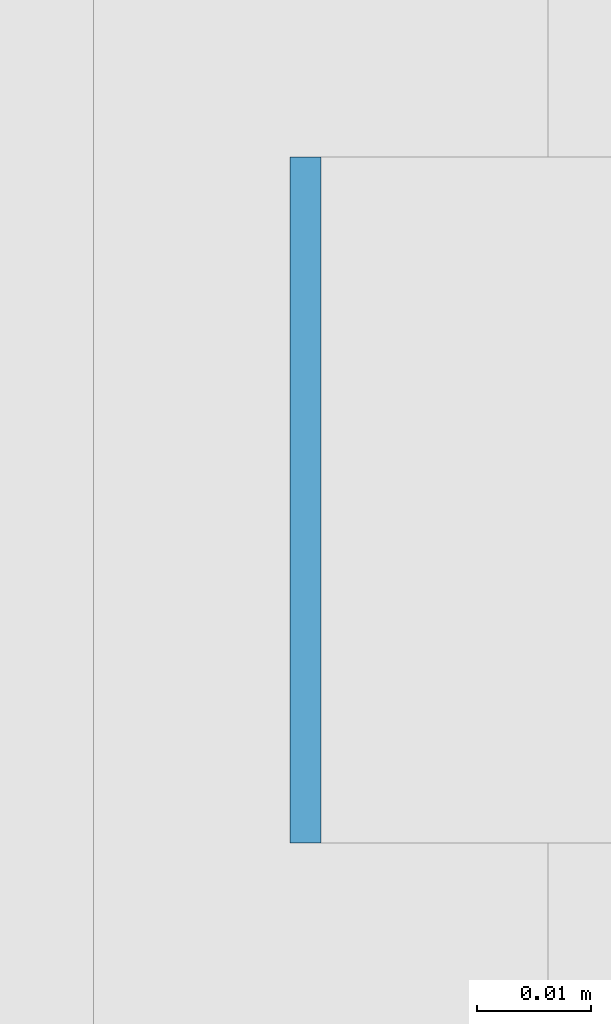
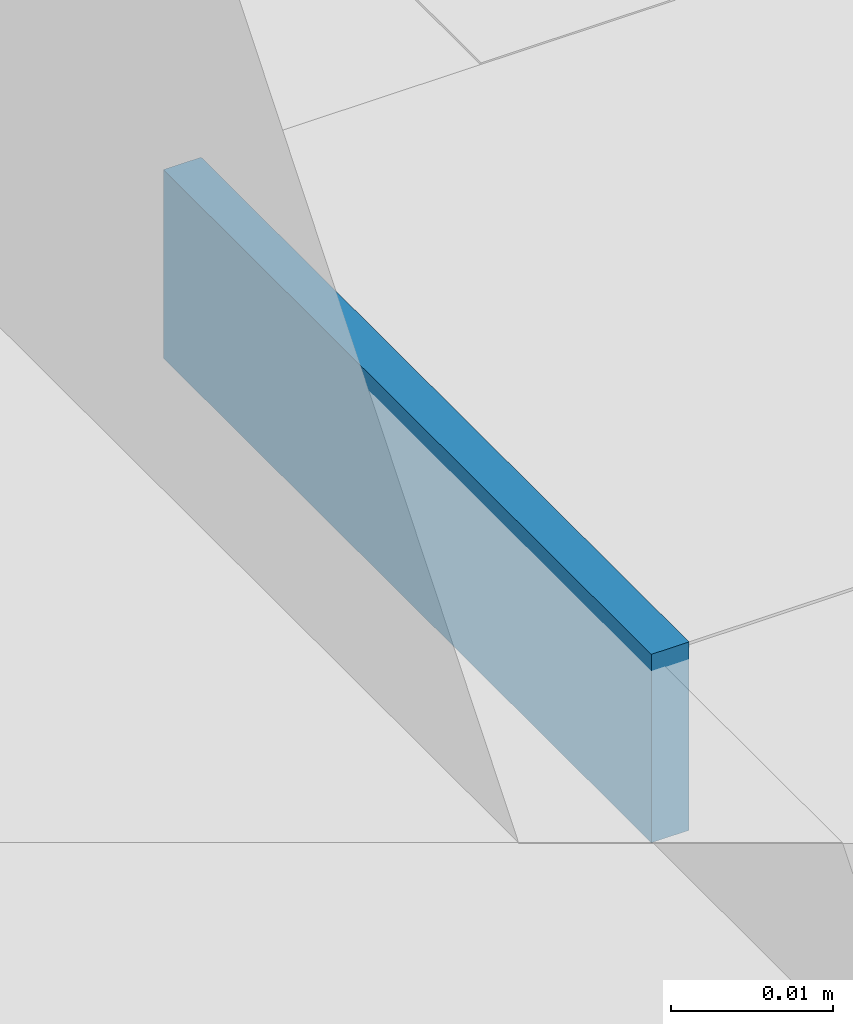
# One storey, part 453 of 646: 1 discrete accessory.
"""IFC4 building model written with IfcOpenShell, lengths in metres."""

from ifc_helpers import new_model, si_unit, direction, frame, origin, origin_2d, place, context, subcontext, project, spatial, rectangle, extrude, material, type_object, element, save


model = new_model("IFC4")

# Units and contexts
model_context = context("Model", 3, precision=1e-05, world=origin(), true_north=direction((0.0, 1.0)))
body_context = subcontext(model_context, "Body", "Model", "MODEL_VIEW")
ifc_project = project(units=[si_unit("LENGTHUNIT", "METRE"), si_unit("AREAUNIT", "SQUARE_METRE"), si_unit("VOLUMEUNIT", "CUBIC_METRE"), si_unit("PLANEANGLEUNIT", "RADIAN"), si_unit("MASSUNIT", "GRAM", prefix="KILO")], contexts=[model_context])

# Site, building, storey
site_placement = place(None, origin())
site = spatial("IfcSite", under=ifc_project, at=site_placement, CompositionType="ELEMENT")
building_placement = place(site_placement, origin())
building = spatial("IfcBuilding", under=site, at=building_placement, Name="Silverbay Arena", CompositionType="ELEMENT")
storey_placement = place(building_placement, frame((0.0, 0.0, 33.5)))
storey = spatial("IfcBuildingStorey", under=building, at=storey_placement, Name="L05", CompositionType="ELEMENT", Elevation=33.5)

# Discrete accessory
ifc_material = material(Name="Steel S355", Category="steel")
discrete_accessory_type = type_object("IfcDiscreteAccessoryType", Name="Steel bracket plate", PredefinedType="BRACKET", material=ifc_material)
discrete_accessory_placement = place(storey_placement, frame((207.128662109375, 41.142822265625, 12.98583984375), z_axis=(0.0, 0.0, 1.0), x_axis=(1.0, 0.0, 0.0)))
element("IfcDiscreteAccessory", 1, at=discrete_accessory_placement, inside=storey, type_object=discrete_accessory_type, Name="Curtain wall packing plate", PredefinedType="BRACKET", context=body_context, shape_type="SweptSolid", body=[
    extrude(rectangle(XDim=0.002685546875, YDim=0.06005859375, at=origin_2d()), origin(), (0.0, 0.0, 1.0), 0.01416015625),
])

save(model, "model.ifc")
